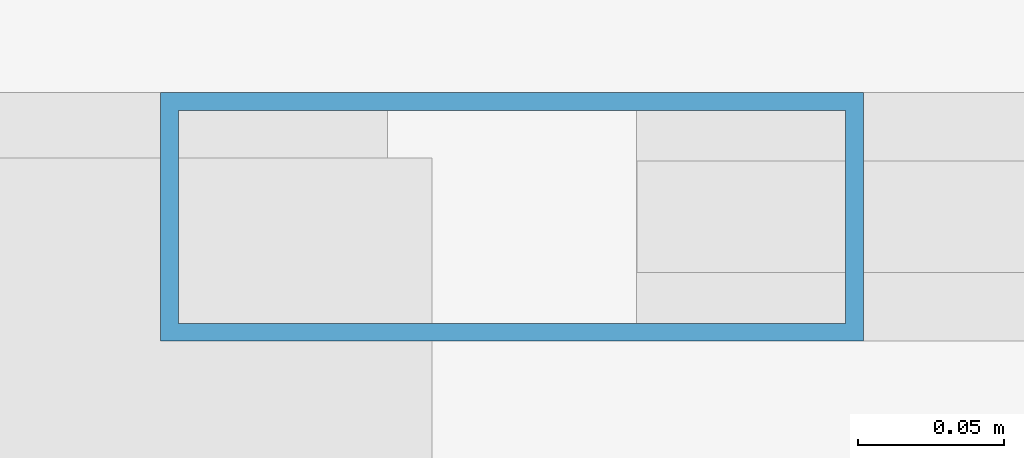
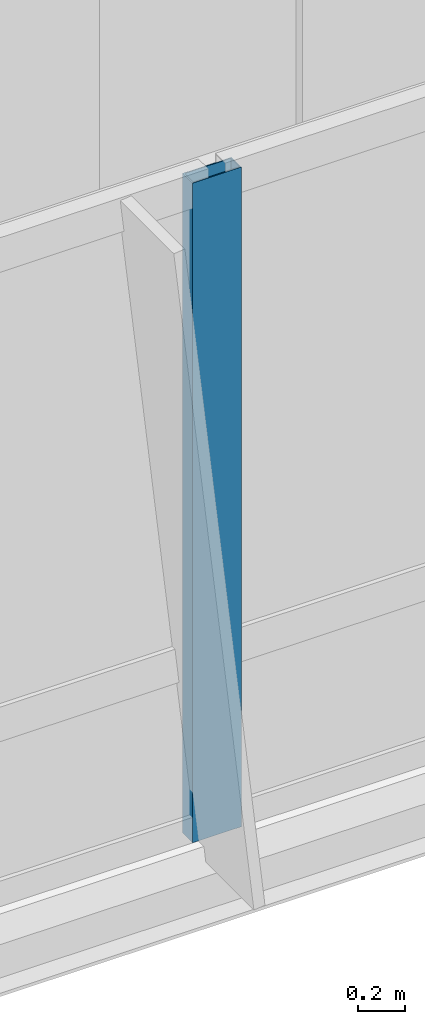
# One storey, part 7 of 26: 1 member, 1 element without a shape of its own.
"""IFC4 building model written with IfcOpenShell, lengths in metres."""

from ifc_helpers import new_model, si_unit, direction, frame, origin, origin_2d, place, context, subcontext, project, spatial, hollow_rectangle, extrude, material, material_profile, profile_set, type_object, element, aggregate, save


model = new_model("IFC4")

# Units and contexts
model_context = context("Model", 3, precision=1e-05, world=origin(), true_north=direction((0.0, 1.0)))
body_context = subcontext(model_context, "Body", "Model", "MODEL_VIEW")
ifc_project = project(units=[si_unit("LENGTHUNIT", "METRE"), si_unit("AREAUNIT", "SQUARE_METRE"), si_unit("VOLUMEUNIT", "CUBIC_METRE"), si_unit("PLANEANGLEUNIT", "RADIAN"), si_unit("MASSUNIT", "GRAM", prefix="KILO")], contexts=[model_context])

# Site, building, storey
site_placement = place(None, origin())
site = spatial("IfcSite", under=ifc_project, at=site_placement, CompositionType="ELEMENT")
building_placement = place(site_placement, origin())
building = spatial("IfcBuilding", under=site, at=building_placement, Name="Khoronbel Lancet Exchange", CompositionType="ELEMENT")
storey_placement = place(building_placement, frame((0.0, 0.0, 339.800048828125)))
storey = spatial("IfcBuildingStorey", under=building, at=storey_placement, Name="L88", CompositionType="ELEMENT", Elevation=339.800048828125)

# Curtain wall, member
ifc_material_1 = material(Name="Low-E Solar Control Insulating Glass", Category="glass")
curtain_wall_type = type_object("IfcCurtainWallType", Name="CW-3", PredefinedType="NOTDEFINED", material=ifc_material_1)
curtain_wall_placement = place(storey_placement, origin())
curtain_wall = element("IfcCurtainWall", 1, at=curtain_wall_placement, inside=storey, type_object=curtain_wall_type, Name="Unitised curtain wall CW-L88-SCV", PredefinedType="NOTDEFINED")
ifc_material_2 = material(Name="Bronze-Anodised Aluminium 6063-T6", Category="aluminium")
ifc_material_profile = material_profile(ifc_material_2, hollow_rectangle(XDim=0.0849609375, YDim=0.239990234375, WallThickness=0.006103515625, at=origin_2d()), Name="ALU MULLION 85x240")
ifc_profile_set = profile_set([ifc_material_profile], Name="Bronze-Anodised Aluminium 6063-T6")
member_type = type_object("IfcMemberType", Name="MEM-CWM1", PredefinedType="MULLION", material=ifc_profile_set)
member_placement = place(storey_placement, frame((36.449951171875, 9.7900390625, 0.0), z_axis=(0.0, 0.0, 1.0), x_axis=(0.0, 1.0, 0.0)))
member = element("IfcMember", 2, at=member_placement, type_object=member_type, Name="CW3 mullion 2", PredefinedType="MULLION", context=body_context, shape_type="SweptSolid", body=[
    extrude(hollow_rectangle(XDim=0.0849609375, YDim=0.239990234375, WallThickness=0.006103515625, at=origin_2d()), origin(), (0.0, 0.0, 1.0), 3.43994140625),
])
aggregate(curtain_wall, [member])

save(model, "model.ifc")
